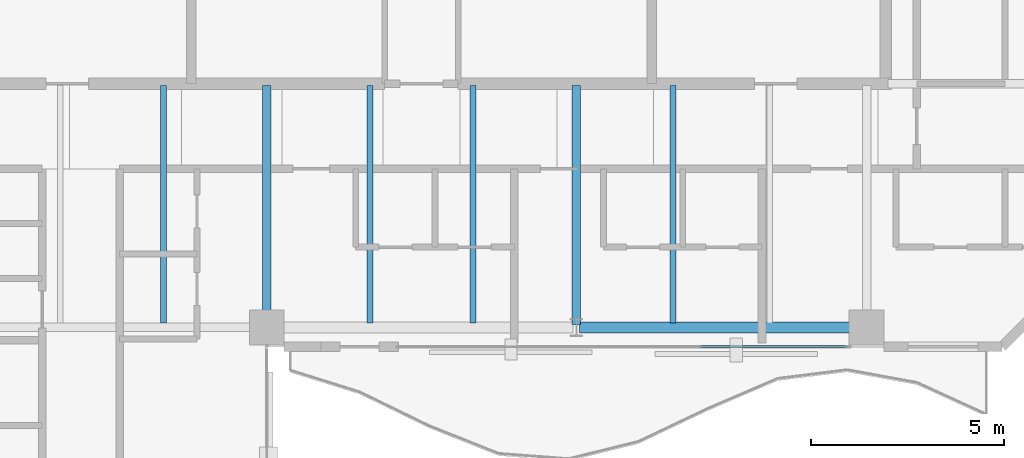
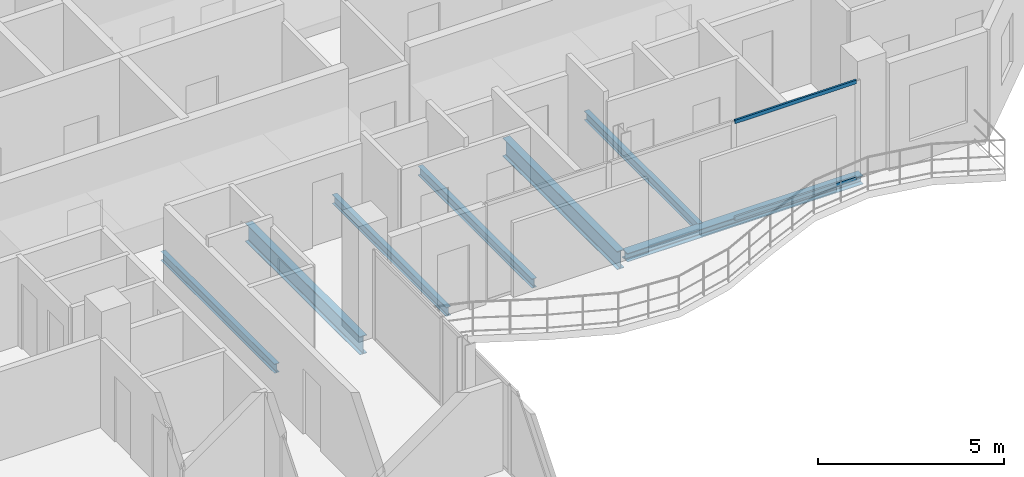
# One storey, part 13 of 22: 7 beams, 2 members, 1 element without a shape of its own.
"""IFC4 building model written with IfcOpenShell, lengths in metres."""

import ifcopenshell
import ifcopenshell.guid

model = None  # the IFC model being written
_history = None  # IfcOwnerHistory: only IFC2X3 demands one
_inside = {}  # id of a spatial element -> (the spatial element, [elements in it])
_under = {}  # id of a project, library or spatial element -> (it, [spatial elements below it])
_declared = {}  # id of a project -> (the project, [libraries it declares])
_typed = {}  # id of a type object -> (the type object, [elements of that type])
_made_of = {}  # id of a material, layer set ... -> (it, [elements and type objects made of it])


def new_model(schema):
    """Start an empty IFC model of exactly this schema.

    Asked for "IFC4X3", IfcOpenShell would pick the latest addendum, in which some entities
    have other attributes; the version numbers below select the first issue.
    IFC2X3 requires an IfcOwnerHistory on every rooted entity: one is made here for all.
    """
    global model, _history
    if schema == "IFC4X3":
        model = ifcopenshell.file(schema_version=(4, 3, 0, 0))
    else:
        model = ifcopenshell.file(schema=schema)
    _inside.clear()
    _under.clear()
    _declared.clear()
    _typed.clear()
    _made_of.clear()
    _history = None
    if model.schema == "IFC2X3":
        org = make("IfcOrganization", Name="unknown")
        user = make(
            "IfcPersonAndOrganization",
            ThePerson=make("IfcPerson", FamilyName="unknown"),
            TheOrganization=org,
        )
        app = make(
            "IfcApplication",
            ApplicationDeveloper=org,
            Version="unknown",
            ApplicationFullName="unknown",
            ApplicationIdentifier="unknown",
        )
        _history = make(
            "IfcOwnerHistory",
            OwningUser=user,
            OwningApplication=app,
            ChangeAction="ADDED",
            CreationDate=0,
        )
    return model


def make(cls, **values):
    """One entity of the class cls with the attributes given. An attribute that is None is left unset."""
    return model.create_entity(
        cls, **{name: value for name, value in values.items() if value is not None}
    )


def rooted(cls, **values):
    """An entity with a GlobalId (a new one), such as an element, a storey or a relation."""
    return make(cls, GlobalId=ifcopenshell.guid.new(), OwnerHistory=_history, **values)


def si_unit(unit_type, name, prefix=None):
    """IfcSIUnit, for example si_unit("LENGTHUNIT", "METRE", prefix="MILLI")."""
    return make("IfcSIUnit", UnitType=unit_type, Prefix=prefix, Name=name)


def assignment(units):
    """IfcUnitAssignment: the units of a project."""
    return None if units is None else make("IfcUnitAssignment", Units=units)


def point(xyz):
    """IfcCartesianPoint."""
    return None if xyz is None else make("IfcCartesianPoint", Coordinates=xyz)


def direction(xyz):
    """IfcDirection."""
    return None if xyz is None else make("IfcDirection", DirectionRatios=xyz)


def frame(location, z_axis=None, x_axis=None):
    """IfcAxis2Placement3D, a coordinate frame: its origin and axes. An axis left out is left unset."""
    return make(
        "IfcAxis2Placement3D",
        Location=point(location),
        Axis=direction(z_axis),
        RefDirection=direction(x_axis),
    )


def frame_2d(location, x_axis=None):
    """IfcAxis2Placement2D, a coordinate frame in the plane: its origin and x axis."""
    return make(
        "IfcAxis2Placement2D", Location=point(location), RefDirection=direction(x_axis)
    )


def origin():
    """The frame at (0, 0, 0) with its axes left unset."""
    return frame((0.0, 0.0, 0.0))


def origin_2d():
    """The frame at (0, 0) in the plane with its x axis left unset."""
    return frame_2d((0.0, 0.0))


def place(relative_to, where):
    """IfcLocalPlacement: puts the frame where relative to a parent placement (None: the world)."""
    return make(
        "IfcLocalPlacement", PlacementRelTo=relative_to, RelativePlacement=where
    )


def context(
    kind, dimensions, precision=None, world=None, true_north=None, identifier=None
):
    """IfcGeometricRepresentationContext, for example the 3D "Model" context."""
    return make(
        "IfcGeometricRepresentationContext",
        ContextIdentifier=identifier,
        ContextType=kind,
        CoordinateSpaceDimension=dimensions,
        Precision=precision,
        WorldCoordinateSystem=world,
        TrueNorth=true_north,
    )


def subcontext(parent, identifier, kind, view, scale=None):
    """IfcGeometricRepresentationSubContext, for example "Body" below "Model"."""
    return make(
        "IfcGeometricRepresentationSubContext",
        ContextIdentifier=identifier,
        ContextType=kind,
        ParentContext=parent,
        TargetScale=scale,
        TargetView=view,
    )


def project(units=None, contexts=None):
    """IfcProject with its units and contexts."""
    return rooted(
        "IfcProject",
        Name="project",
        RepresentationContexts=contexts,
        UnitsInContext=assignment(units),
    )


def spatial(cls, under=None, at=None, **own):
    """A site, building, storey or space (cls), placed at a placement, below another one or the project."""
    s = rooted(cls, ObjectPlacement=at, **own)
    if under is not None:
        _under.setdefault(under.id(), (under, []))[1].append(s)
    return s


def profile(cls, at=None, kind="AREA", **sizes):
    """A parametric profile (cls). Its sizes go by their IFC names, for example OverallWidth=200.0."""
    return make(cls, ProfileType=kind, Position=at, **sizes)


def hollow_rectangle(**sizes):
    """IfcRectangleHollowProfileDef."""
    return profile("IfcRectangleHollowProfileDef", **sizes)


def i_section(**sizes):
    """IfcIShapeProfileDef."""
    return profile("IfcIShapeProfileDef", **sizes)


def extrude(swept, where, along, depth):
    """IfcExtrudedAreaSolid: the profile swept, set in the frame where, extruded along a direction by depth."""
    return make(
        "IfcExtrudedAreaSolid",
        SweptArea=swept,
        Position=where,
        ExtrudedDirection=direction(along),
        Depth=depth,
    )


def shape(context_of_items, identifier, shape_type, items):
    """IfcShapeRepresentation: the items that make up one representation, for example the "Body"."""
    return make(
        "IfcShapeRepresentation",
        ContextOfItems=context_of_items,
        RepresentationIdentifier=identifier,
        RepresentationType=shape_type,
        Items=items,
    )


def material(Name=None, Category=None):
    """IfcMaterial."""
    return make("IfcMaterial", Name=Name, Category=Category)


def layer(
    of_material, thickness, ventilated=None, Name=None, Category=None, Priority=None
):
    """IfcMaterialLayer: one layer of a wall or slab, of a material (None: an air gap)."""
    return make(
        "IfcMaterialLayer",
        Material=of_material,
        LayerThickness=thickness,
        IsVentilated=ventilated,
        Name=Name,
        Category=Category,
        Priority=Priority,
    )


def layer_set(layers, Name=None):
    """IfcMaterialLayerSet."""
    return make("IfcMaterialLayerSet", MaterialLayers=layers, LayerSetName=Name)


def material_profile(
    of_material, cross_section, Name=None, Category=None, Priority=None
):
    """IfcMaterialProfile: a cross section and its material."""
    return make(
        "IfcMaterialProfile",
        Name=Name,
        Material=of_material,
        Profile=cross_section,
        Priority=Priority,
        Category=Category,
    )


def profile_set(profiles, Name=None, composite=None):
    """IfcMaterialProfileSet."""
    return make(
        "IfcMaterialProfileSet",
        Name=Name,
        MaterialProfiles=profiles,
        CompositeProfile=composite,
    )


def made_of(thing, what):
    """Note that an element or type object is made of a material, layer set ...; save() writes the relation."""
    if what is not None:
        _made_of.setdefault(what.id(), (what, []))[1].append(thing)
    return thing


def type_object(cls, material=None, **own):
    """A type object (cls), such as IfcWallType, which elements share."""
    return made_of(rooted(cls, **own), material)


def element(
    cls,
    number,
    at=None,
    inside=None,
    cuts=None,
    type_object=None,
    material=None,
    context=None,
    identifier="Body",
    shape_type=None,
    held_by="IfcProductDefinitionShape",
    body=None,
    shapes=None,
    **own,
):
    """One element of the class cls, such as IfcWall. Its Tag is "e" and its number.

    at: its placement. inside: the storey or other place that contains it. cuts: it is an
    opening in that element (IfcRelVoidsElement). A single representation is given by context,
    identifier, shape_type and body (its items); several are given by shapes. held_by: the class
    of the entity that holds the representations. save() writes the other relations.
    """
    e = rooted(cls, Tag="e%d" % number, ObjectPlacement=at, **own)
    if body is not None:
        shapes = [shape(context, identifier, shape_type, body)]
    if shapes is not None:
        e.Representation = make(held_by, Representations=shapes)
    if inside is not None:
        _inside.setdefault(inside.id(), (inside, []))[1].append(e)
    if cuts is not None:
        rooted(
            "IfcRelVoidsElement", RelatingBuildingElement=cuts, RelatedOpeningElement=e
        )
    if type_object is not None:
        _typed.setdefault(type_object.id(), (type_object, []))[1].append(e)
    return made_of(e, material)


def aggregate(whole, parts):
    """IfcRelAggregates: a whole, such as a stair, and the parts it consists of."""
    return rooted("IfcRelAggregates", RelatingObject=whole, RelatedObjects=parts)


def save(model, path):
    """Write the relations noted so far, then the file.

    IfcRelAggregates (storeys below a building ...), IfcRelContainedInSpatialStructure (elements
    in a storey), IfcRelDefinesByType, IfcRelAssociatesMaterial and IfcRelDeclares: one each for
    every whole, place, type object, material and project.
    """
    for whole, parts in _under.values():
        aggregate(whole, parts)
    for where, things in _inside.values():
        rooted(
            "IfcRelContainedInSpatialStructure",
            RelatedElements=things,
            RelatingStructure=where,
        )
    for kind, things in _typed.values():
        rooted("IfcRelDefinesByType", RelatedObjects=things, RelatingType=kind)
    for what, things in _made_of.values():
        rooted("IfcRelAssociatesMaterial", RelatedObjects=things, RelatingMaterial=what)
    for by, libraries in _declared.values():
        rooted("IfcRelDeclares", RelatingContext=by, RelatedDefinitions=libraries)
    model.write(path)


model = new_model("IFC4")

# Units and contexts
model_context = context("Model", 3, precision=1e-05, world=origin(), true_north=direction((0.0, 1.0)))
body_context = subcontext(model_context, "Body", "Model", "MODEL_VIEW")
ifc_project = project(units=[si_unit("LENGTHUNIT", "METRE"), si_unit("AREAUNIT", "SQUARE_METRE"), si_unit("VOLUMEUNIT", "CUBIC_METRE"), si_unit("PLANEANGLEUNIT", "RADIAN"), si_unit("MASSUNIT", "GRAM", prefix="KILO")], contexts=[model_context])

# Site, building, storey
site_placement = place(None, origin())
site = spatial("IfcSite", under=ifc_project, at=site_placement, CompositionType="ELEMENT")
building_placement = place(site_placement, origin())
building = spatial("IfcBuilding", under=site, at=building_placement, Name="Catumbela Crestline Tower", CompositionType="ELEMENT")
storey_placement = place(building_placement, frame((0.0, 0.0, 229.8)))
storey = spatial("IfcBuildingStorey", under=building, at=storey_placement, Name="L59", CompositionType="ELEMENT", Elevation=229.8)

# Beams
ifc_material_1 = material(Name="Structural steel S355J2", Category="steel")
ifc_material_profile_1 = material_profile(ifc_material_1, i_section(OverallWidth=0.22, OverallDepth=0.6, WebThickness=0.012, FlangeThickness=0.019, FilletRadius=0.024, at=origin_2d()), Name="IPE 600")
ifc_profile_set_1 = profile_set([ifc_material_profile_1], Name="Structural steel S355J2")
beam_type_1 = type_object("IfcBeamType", Name="BG-IPE600", PredefinedType="BEAM", material=ifc_profile_set_1)
for number, where, z_axis, x_axis, name in (
    (1, (24.0, 24.58, -0.56), (0.0, 1.0, 0.0), (-1.0, 0.0, 0.0), "L59 Beam BM-L59-SNS16"),
    (2, (32.0, 24.58, -0.56), (0.0, 1.0, 0.0), (-1.0, 0.0, 0.0), "L59 Beam BM-L59-SNS17"),
):
    element("IfcBeam", number, at=place(storey_placement, frame(where, z_axis=z_axis, x_axis=x_axis)), inside=storey, type_object=beam_type_1, Name=name, PredefinedType="BEAM", context=body_context, shape_type="SweptSolid", body=[
        extrude(i_section(OverallWidth=0.22, OverallDepth=0.6, WebThickness=0.012, FlangeThickness=0.019, FilletRadius=0.024, at=origin_2d()), origin(), (0.0, 0.0, 1.0), 6.17),
    ])
ifc_material_profile_2 = material_profile(ifc_material_1, i_section(OverallWidth=0.15, OverallDepth=0.3, WebThickness=0.0071, FlangeThickness=0.0107, FilletRadius=0.015, at=origin_2d()), Name="IPE 300")
ifc_profile_set_2 = profile_set([ifc_material_profile_2], Name="Structural steel S355J2")
beam_type_2 = type_object("IfcBeamType", Name="BJ-IPE300", PredefinedType="JOIST", material=ifc_profile_set_2)
for number, where, z_axis, x_axis, name in (
    (3, (21.333, 24.61, -0.41), (0.0, 1.0, 0.0), (-1.0, 0.0, 0.0), "L59 Joist JS-L59-SP22"),
    (4, (26.667, 24.61, -0.41), (0.0, 1.0, 0.0), (-1.0, 0.0, 0.0), "L59 Joist JS-L59-SP23"),
    (5, (29.333, 24.61, -0.41), (0.0, 1.0, 0.0), (-1.0, 0.0, 0.0), "L59 Joist JS-L59-SP24"),
    (6, (34.5, 24.61, -0.41), (0.0, 1.0, 0.0), (-1.0, 0.0, 0.0), "L59 Joist JS-L59-SP25"),
):
    element("IfcBeam", number, at=place(storey_placement, frame(where, z_axis=z_axis, x_axis=x_axis)), inside=storey, type_object=beam_type_2, Name=name, PredefinedType="JOIST", context=body_context, shape_type="SweptSolid", body=[
        extrude(i_section(OverallWidth=0.15, OverallDepth=0.3, WebThickness=0.0071, FlangeThickness=0.0107, FilletRadius=0.015, at=origin_2d()), origin(), (0.0, 0.0, 1.0), 6.14),
    ])
ifc_material_profile_3 = material_profile(ifc_material_1, i_section(OverallWidth=0.28, OverallDepth=0.28, WebThickness=0.0105, FlangeThickness=0.018, FilletRadius=0.024, at=origin_2d()), Name="HEB 280")
ifc_profile_set_3 = profile_set([ifc_material_profile_3], Name="Structural steel S355J2")
beam_type_3 = type_object("IfcBeamType", Name="BS-HEB280", PredefinedType="SPANDREL", material=ifc_profile_set_3)
beam_placement = place(storey_placement, frame((32.08, 24.5, -0.4), z_axis=(1.0, 0.0, 0.0), x_axis=(0.0, 1.0, 0.0)))
element("IfcBeam", 7, at=beam_placement, inside=storey, type_object=beam_type_3, Name="L59 Spandrel SP-L59-S05", PredefinedType="SPANDREL", context=body_context, shape_type="SweptSolid", body=[
    extrude(i_section(OverallWidth=0.28, OverallDepth=0.28, WebThickness=0.0105, FlangeThickness=0.018, FilletRadius=0.024, at=origin_2d()), origin(), (0.0, 0.0, 1.0), 7.34),
])

# Curtain wall, members
ifc_material_2 = material(Name="Aluminium alloy AW-6060-T66", Category="aluminium")
ifc_layer = layer(ifc_material_2, 0.18, Name="Aluminium alloy AW-6060-T66")
ifc_layer_set = layer_set([ifc_layer], Name="Aluminium alloy AW-6060-T66")
curtain_wall_type = type_object("IfcCurtainWallType", Name="CWU-Z4", PredefinedType="USERDEFINED", material=ifc_layer_set)
curtain_wall_placement = place(storey_placement, origin())
curtain_wall = element("IfcCurtainWall", 8, at=curtain_wall_placement, inside=storey, type_object=curtain_wall_type, Name="L59 Unitised Curtain Wall CW-L59-E3S2", ObjectType="UNITISED", PredefinedType="USERDEFINED")
ifc_material_profile_4 = material_profile(ifc_material_2, hollow_rectangle(XDim=0.06, YDim=0.12, WallThickness=0.0035, at=origin_2d()), Name="ALU 120x60x3.5")
ifc_profile_set_4 = profile_set([ifc_material_profile_4], Name="Aluminium alloy AW-6060-T66")
member_type = type_object("IfcMemberType", Name="TRN-120X60", PredefinedType="USERDEFINED", material=ifc_profile_set_4)
member_1_placement = place(storey_placement, frame((35.1992, 24.0, 0.03), z_axis=(1.0, 0.0, 0.0), x_axis=(0.0, 1.0, 0.0)))
member_1 = element("IfcMember", 9, at=member_1_placement, type_object=member_type, Name="CWU-Z4 transom 3.1", ObjectType="TRANSOM", PredefinedType="USERDEFINED", context=body_context, shape_type="SweptSolid", body=[
    extrude(hollow_rectangle(XDim=0.06, YDim=0.12, WallThickness=0.0035, at=origin_2d()), origin(), (0.0, 0.0, 1.0), 3.7858),
])
member_2_placement = place(storey_placement, frame((35.1992, 24.0, 3.21), z_axis=(1.0, 0.0, 0.0), x_axis=(0.0, 1.0, 0.0)))
member_2 = element("IfcMember", 10, at=member_2_placement, type_object=member_type, Name="CWU-Z4 transom 3.2", ObjectType="TRANSOM", PredefinedType="USERDEFINED", context=body_context, shape_type="SweptSolid", body=[
    extrude(hollow_rectangle(XDim=0.06, YDim=0.12, WallThickness=0.0035, at=origin_2d()), origin(), (0.0, 0.0, 1.0), 3.7858),
])
aggregate(curtain_wall, [member_1, member_2])

save(model, "model.ifc")
